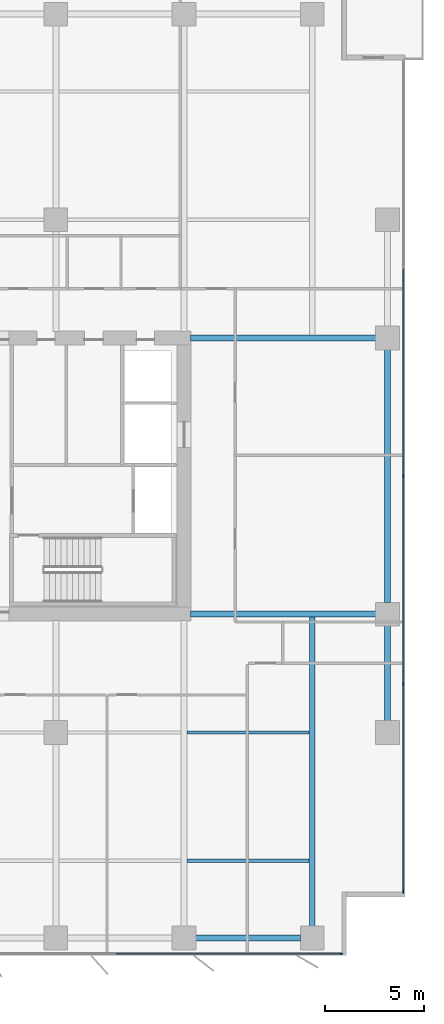
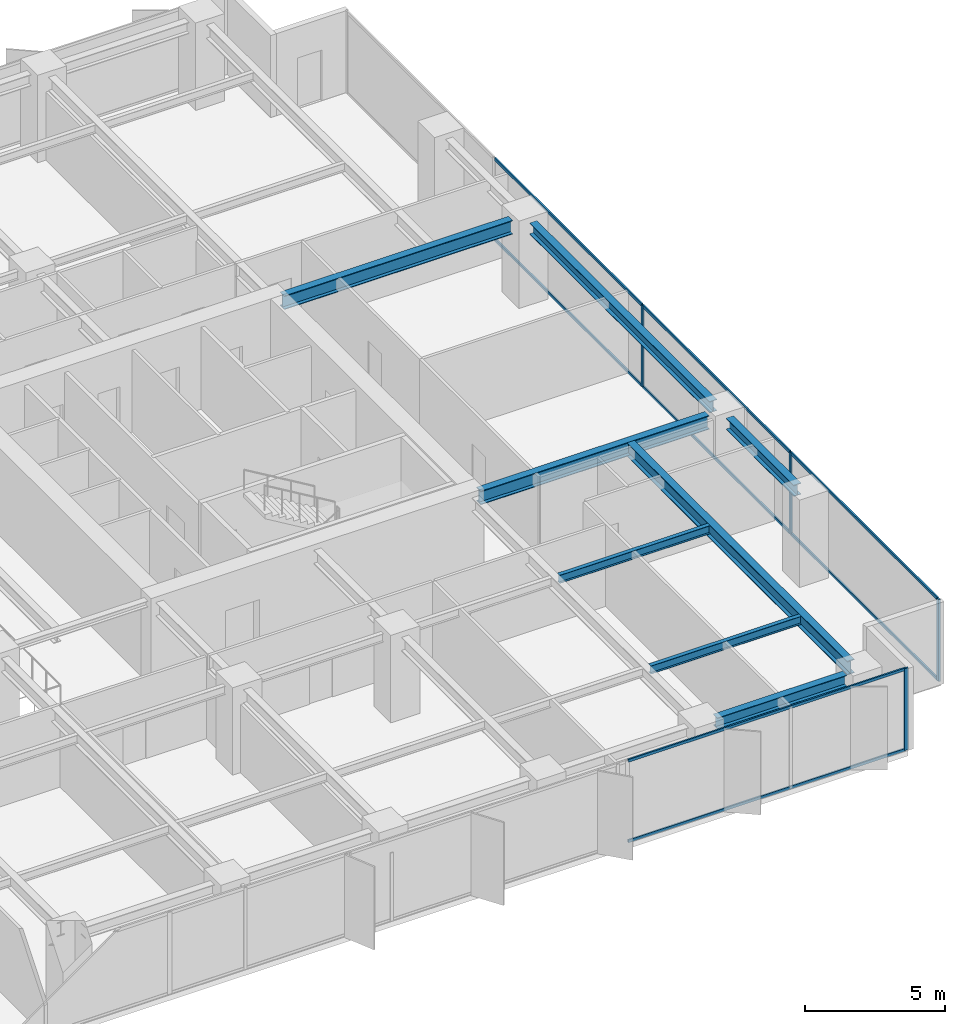
# One storey, part 10 of 20: 12 members, 8 beams, 2 elements without a shape of their own.
"""IFC4 building model written with IfcOpenShell, lengths in metres."""

from ifc_helpers import new_model, si_unit, direction, frame, origin, origin_2d, place, context, subcontext, project, spatial, rectangle, i_section, extrude, material, layer, layer_set, material_profile, profile_set, type_object, element, aggregate, save


model = new_model("IFC4")

# Units and contexts
model_context = context("Model", 3, precision=1e-05, world=origin(), true_north=direction((0.0, 1.0)))
body_context = subcontext(model_context, "Body", "Model", "MODEL_VIEW")
ifc_project = project(units=[si_unit("LENGTHUNIT", "METRE"), si_unit("AREAUNIT", "SQUARE_METRE"), si_unit("VOLUMEUNIT", "CUBIC_METRE"), si_unit("PLANEANGLEUNIT", "RADIAN"), si_unit("MASSUNIT", "GRAM", prefix="KILO")], contexts=[model_context])

# Site, building, storey
site_placement = place(None, origin())
site = spatial("IfcSite", under=ifc_project, at=site_placement, CompositionType="ELEMENT")
building_placement = place(site_placement, origin())
building = spatial("IfcBuilding", under=site, at=building_placement, Name="Putna Gate Headquarters", CompositionType="ELEMENT")
storey_placement = place(building_placement, frame((0.0, 0.0, 127.800048828125)))
storey = spatial("IfcBuildingStorey", under=building, at=storey_placement, Name="L31", CompositionType="ELEMENT", Elevation=127.800048828125)

# Beams
ifc_material_1 = material(Name="Steel S355J2", Category="steel")
ifc_material_profile_1 = material_profile(ifc_material_1, i_section(OverallWidth=0.300048828125, OverallDepth=0.60009765625, WebThickness=0.015380859375, FlangeThickness=0.030029296875, at=origin_2d()), Name="Steel S355J2")
ifc_profile_set_1 = profile_set([ifc_material_profile_1], Name="Steel S355J2")
beam_type_1 = type_object("IfcBeamType", Name="BM-GIRD-Z2-HEB600", PredefinedType="USERDEFINED", material=ifc_profile_set_1)
for number, where, z_axis, x_axis, name in (
    (1, (65.3349609375, 19.0, 3.264892578125), (1.0, 0.0, 0.0), (0.0, 1.0, 0.0), "L31 East Wing Girder Y19"),
    (2, (65.3349609375, 33.0, 3.264892578125), (1.0, 0.0, 0.0), (0.0, 1.0, 0.0), "L31 East Wing Girder Y33"),
):
    element("IfcBeam", number, at=place(storey_placement, frame(where, z_axis=z_axis, x_axis=x_axis)), inside=storey, type_object=beam_type_1, Name=name, ObjectType="GIRDER", PredefinedType="USERDEFINED", context=body_context, shape_type="SweptSolid", body=[
        extrude(i_section(OverallWidth=0.300048828125, OverallDepth=0.60009765625, WebThickness=0.015380859375, FlangeThickness=0.030029296875, at=origin_2d()), origin(), (0.0, 0.0, 1.0), 9.39697265625),
    ])
beam_1_placement = place(storey_placement, frame((71.5, 3.16796875, 3.264892578125), z_axis=(0.0, 1.0, 0.0), x_axis=(-1.0, 0.0, 0.0)))
element("IfcBeam", 3, at=beam_1_placement, inside=storey, type_object=beam_type_1, Name="L31 South Primary Girder X71", ObjectType="GIRDER", PredefinedType="USERDEFINED", context=body_context, shape_type="SweptSolid", body=[
    extrude(i_section(OverallWidth=0.300048828125, OverallDepth=0.60009765625, WebThickness=0.015380859375, FlangeThickness=0.030029296875, at=origin_2d()), origin(), (0.0, 0.0, 1.0), 15.820068359375),
])
ifc_material_profile_2 = material_profile(ifc_material_1, i_section(OverallWidth=0.169921875, OverallDepth=0.360107421875, WebThickness=0.008056640625, FlangeThickness=0.0126953125, at=origin_2d()), Name="Steel S355J2")
ifc_profile_set_2 = profile_set([ifc_material_profile_2], Name="Steel S355J2")
beam_type_2 = type_object("IfcBeamType", Name="BM-SEC-Z2-IPE360", PredefinedType="BEAM", material=ifc_profile_set_2)
for number, where, z_axis, x_axis, name in (
    (4, (65.154052734375, 6.5, 3.385009765625), (1.0, 0.0, 0.0), (0.0, 1.0, 0.0), "L31 South Secondary Beam 10"),
    (5, (65.154052734375, 13.0, 3.385009765625), (1.0, 0.0, 0.0), (0.0, 1.0, 0.0), "L31 South Secondary Beam 10"),
):
    element("IfcBeam", number, at=place(storey_placement, frame(where, z_axis=z_axis, x_axis=x_axis)), inside=storey, type_object=beam_type_2, Name=name, PredefinedType="BEAM", context=body_context, shape_type="SweptSolid", body=[
        extrude(i_section(OverallWidth=0.169921875, OverallDepth=0.360107421875, WebThickness=0.008056640625, FlangeThickness=0.0126953125, at=origin_2d()), origin(), (0.0, 0.0, 1.0), 6.19189453125),
    ])
ifc_material_profile_3 = material_profile(ifc_material_1, i_section(OverallWidth=0.300048828125, OverallDepth=0.489990234375, WebThickness=0.011962890625, FlangeThickness=0.02294921875, at=origin_2d()), Name="Steel S355J2")
ifc_profile_set_3 = profile_set([ifc_material_profile_3], Name="Steel S355J2")
beam_type_3 = type_object("IfcBeamType", Name="BM-SPAN-Z2-HEA500", PredefinedType="SPANDREL", material=ifc_profile_set_3)
beam_2_placement = place(storey_placement, frame((65.587890625, 2.580078125, 3.320068359375), z_axis=(1.0, 0.0, 0.0), x_axis=(0.0, 1.0, 0.0)))
element("IfcBeam", 6, at=beam_2_placement, inside=storey, type_object=beam_type_3, Name="L31 S Perimeter Spandrel 10", PredefinedType="SPANDREL", context=body_context, shape_type="SweptSolid", body=[
    extrude(i_section(OverallWidth=0.300048828125, OverallDepth=0.489990234375, WebThickness=0.011962890625, FlangeThickness=0.02294921875, at=origin_2d()), origin(), (0.0, 0.0, 1.0), 5.32421875),
])
beam_3_placement = place(storey_placement, frame((75.320068359375, 13.587890625, 3.320068359375), z_axis=(0.0, 1.0, 0.0), x_axis=(-1.0, 0.0, 0.0)))
element("IfcBeam", 7, at=beam_3_placement, inside=storey, type_object=beam_type_3, Name="L31 E End Spandrel 1", PredefinedType="SPANDREL", context=body_context, shape_type="SweptSolid", body=[
    extrude(i_section(OverallWidth=0.300048828125, OverallDepth=0.489990234375, WebThickness=0.011962890625, FlangeThickness=0.02294921875, at=origin_2d()), origin(), (0.0, 0.0, 1.0), 4.82421875),
])
beam_4_placement = place(storey_placement, frame((75.320068359375, 19.587890625, 3.320068359375), z_axis=(0.0, 1.0, 0.0), x_axis=(-1.0, 0.0, 0.0)))
element("IfcBeam", 8, at=beam_4_placement, inside=storey, type_object=beam_type_3, Name="L31 E End Spandrel 2", PredefinedType="SPANDREL", context=body_context, shape_type="SweptSolid", body=[
    extrude(i_section(OverallWidth=0.300048828125, OverallDepth=0.489990234375, WebThickness=0.011962890625, FlangeThickness=0.02294921875, at=origin_2d()), origin(), (0.0, 0.0, 1.0), 12.82421875),
])

# Curtain wall, member
ifc_material_2 = material(Name="Anodised bronze aluminium curtain wall", Category="aluminium")
ifc_layer = layer(ifc_material_2, 0.159912109375)
ifc_layer_set = layer_set([ifc_layer], Name="Anodised bronze aluminium curtain wall")
curtain_wall_type = type_object("IfcCurtainWallType", Name="CW-SYS-Z2", PredefinedType="USERDEFINED", material=ifc_layer_set)
curtain_wall_1_placement = place(storey_placement, origin())
curtain_wall_1 = element("IfcCurtainWall", 9, at=curtain_wall_1_placement, inside=storey, type_object=curtain_wall_type, Name="L31 South East Curtain Wall", ObjectType="STICK CURTAIN WALL", PredefinedType="USERDEFINED")
ifc_material_3 = material(Name="Anodised bronze aluminium EN AW-6060", Category="aluminium")
ifc_material_profile_4 = material_profile(ifc_material_3, rectangle(XDim=0.06494140625, YDim=0.159912109375, at=origin_2d()), Name="Anodised bronze aluminium EN AW-6060")
ifc_profile_set_4 = profile_set([ifc_material_profile_4], Name="Anodised bronze aluminium EN AW-6060")
member_type_1 = type_object("IfcMemberType", Name="MULL-CWM-2", PredefinedType="MULLION", material=ifc_profile_set_4)
member_1_placement = place(storey_placement, frame((72.967529296875, 1.780029296875, 0.0), z_axis=(0.0, 0.0, 1.0), x_axis=(0.0, 1.0, 0.0)))
member_1 = element("IfcMember", 10, at=member_1_placement, type_object=member_type_1, Name="CWS-2 mullion 3", PredefinedType="MULLION", context=body_context, shape_type="SweptSolid", body=[
    extrude(rectangle(XDim=0.06494140625, YDim=0.159912109375, at=origin_2d()), origin(), (0.0, 0.0, 1.0), 3.56494140625),
])

# Curtain wall, members
curtain_wall_2_placement = place(storey_placement, origin())
curtain_wall_2 = element("IfcCurtainWall", 11, at=curtain_wall_2_placement, inside=storey, type_object=curtain_wall_type, Name="L31 East Curtain Wall", ObjectType="STICK CURTAIN WALL", PredefinedType="USERDEFINED")
member_2_placement = place(storey_placement, frame((76.1201171875, 4.9326171875, 0.0), z_axis=(0.0, 0.0, 1.0), x_axis=(-1.0, 0.0, 0.0)))
member_2 = element("IfcMember", 12, at=member_2_placement, type_object=member_type_1, Name="CWS-2 mullion 1", PredefinedType="MULLION", context=body_context, shape_type="SweptSolid", body=[
    extrude(rectangle(XDim=0.06494140625, YDim=0.159912109375, at=origin_2d()), origin(), (0.0, 0.0, 1.0), 3.56494140625),
])
member_3_placement = place(storey_placement, frame((76.1201171875, 15.449951171875, 0.0), z_axis=(0.0, 0.0, 1.0), x_axis=(-1.0, 0.0, 0.0)))
member_3 = element("IfcMember", 13, at=member_3_placement, type_object=member_type_1, Name="CWS-2 mullion 2", PredefinedType="MULLION", context=body_context, shape_type="SweptSolid", body=[
    extrude(rectangle(XDim=0.06494140625, YDim=0.159912109375, at=origin_2d()), origin(), (0.0, 0.0, 1.0), 3.56494140625),
])
member_4_placement = place(storey_placement, frame((76.1201171875, 26.0, 0.0), z_axis=(0.0, 0.0, 1.0), x_axis=(-1.0, 0.0, 0.0)))
member_4 = element("IfcMember", 14, at=member_4_placement, type_object=member_type_1, Name="CWS-2 mullion 3", PredefinedType="MULLION", context=body_context, shape_type="SweptSolid", body=[
    extrude(rectangle(XDim=0.06494140625, YDim=0.159912109375, at=origin_2d()), origin(), (0.0, 0.0, 1.0), 3.56494140625),
])

# Member
ifc_material_profile_5 = material_profile(ifc_material_3, rectangle(XDim=0.06494140625, YDim=0.1201171875, at=origin_2d()), Name="Anodised bronze aluminium EN AW-6060")
ifc_profile_set_5 = profile_set([ifc_material_profile_5], Name="Anodised bronze aluminium EN AW-6060")
member_type_2 = type_object("IfcMemberType", Name="TRAN-CWT-2", PredefinedType="USERDEFINED", material=ifc_profile_set_5)
member_5_placement = place(storey_placement, frame((61.532470703125, 1.780029296875, 0.032470703125), z_axis=(1.0, 0.0, 0.0), x_axis=(0.0, 1.0, 0.0)))
member_5 = element("IfcMember", 15, at=member_5_placement, type_object=member_type_2, Name="CWS-2 transom 2.1", ObjectType="TRANSOM", PredefinedType="USERDEFINED", context=body_context, shape_type="SweptSolid", body=[
    extrude(rectangle(XDim=0.06494140625, YDim=0.1201171875, at=origin_2d()), origin(), (0.0, 0.0, 1.0), 11.402587890625),
])

member_6_placement = place(storey_placement, frame((61.532470703125, 1.780029296875, 3.532470703125), z_axis=(1.0, 0.0, 0.0), x_axis=(0.0, 1.0, 0.0)))
member_6 = element("IfcMember", 16, at=member_6_placement, type_object=member_type_2, Name="CWS-2 transom 2.2", ObjectType="TRANSOM", PredefinedType="USERDEFINED", context=body_context, shape_type="SweptSolid", body=[
    extrude(rectangle(XDim=0.06494140625, YDim=0.1201171875, at=origin_2d()), origin(), (0.0, 0.0, 1.0), 11.402587890625),
])

aggregate(curtain_wall_1, [member_1, member_5, member_6])

member_7_placement = place(storey_placement, frame((76.1201171875, 4.965087890625, 0.032470703125), z_axis=(0.0, 1.0, 0.0), x_axis=(-1.0, 0.0, 0.0)))
member_7 = element("IfcMember", 17, at=member_7_placement, type_object=member_type_2, Name="CWS-2 transom 1.1", ObjectType="TRANSOM", PredefinedType="USERDEFINED", context=body_context, shape_type="SweptSolid", body=[
    extrude(rectangle(XDim=0.06494140625, YDim=0.1201171875, at=origin_2d()), origin(), (0.0, 0.0, 1.0), 10.452392578125),
])

member_8_placement = place(storey_placement, frame((76.1201171875, 4.965087890625, 3.532470703125), z_axis=(0.0, 1.0, 0.0), x_axis=(-1.0, 0.0, 0.0)))
member_8 = element("IfcMember", 18, at=member_8_placement, type_object=member_type_2, Name="CWS-2 transom 1.2", ObjectType="TRANSOM", PredefinedType="USERDEFINED", context=body_context, shape_type="SweptSolid", body=[
    extrude(rectangle(XDim=0.06494140625, YDim=0.1201171875, at=origin_2d()), origin(), (0.0, 0.0, 1.0), 10.452392578125),
])

member_9_placement = place(storey_placement, frame((76.1201171875, 15.482421875, 0.032470703125), z_axis=(0.0, 1.0, 0.0), x_axis=(-1.0, 0.0, 0.0)))
member_9 = element("IfcMember", 19, at=member_9_placement, type_object=member_type_2, Name="CWS-2 transom 2.1", ObjectType="TRANSOM", PredefinedType="USERDEFINED", context=body_context, shape_type="SweptSolid", body=[
    extrude(rectangle(XDim=0.06494140625, YDim=0.1201171875, at=origin_2d()), origin(), (0.0, 0.0, 1.0), 10.485107421875),
])

member_10_placement = place(storey_placement, frame((76.1201171875, 15.482421875, 3.532470703125), z_axis=(0.0, 1.0, 0.0), x_axis=(-1.0, 0.0, 0.0)))
member_10 = element("IfcMember", 20, at=member_10_placement, type_object=member_type_2, Name="CWS-2 transom 2.2", ObjectType="TRANSOM", PredefinedType="USERDEFINED", context=body_context, shape_type="SweptSolid", body=[
    extrude(rectangle(XDim=0.06494140625, YDim=0.1201171875, at=origin_2d()), origin(), (0.0, 0.0, 1.0), 10.485107421875),
])

member_11_placement = place(storey_placement, frame((76.1201171875, 26.032470703125, 0.032470703125), z_axis=(0.0, 1.0, 0.0), x_axis=(-1.0, 0.0, 0.0)))
member_11 = element("IfcMember", 21, at=member_11_placement, type_object=member_type_2, Name="CWS-2 transom 3.1", ObjectType="TRANSOM", PredefinedType="USERDEFINED", context=body_context, shape_type="SweptSolid", body=[
    extrude(rectangle(XDim=0.06494140625, YDim=0.1201171875, at=origin_2d()), origin(), (0.0, 0.0, 1.0), 10.485107421875),
])

member_12_placement = place(storey_placement, frame((76.1201171875, 26.032470703125, 3.532470703125), z_axis=(0.0, 1.0, 0.0), x_axis=(-1.0, 0.0, 0.0)))
member_12 = element("IfcMember", 22, at=member_12_placement, type_object=member_type_2, Name="CWS-2 transom 3.2", ObjectType="TRANSOM", PredefinedType="USERDEFINED", context=body_context, shape_type="SweptSolid", body=[
    extrude(rectangle(XDim=0.06494140625, YDim=0.1201171875, at=origin_2d()), origin(), (0.0, 0.0, 1.0), 10.485107421875),
])

aggregate(curtain_wall_2, [member_2, member_3, member_4, member_7, member_8, member_9, member_10, member_11, member_12])

save(model, "model.ifc")
